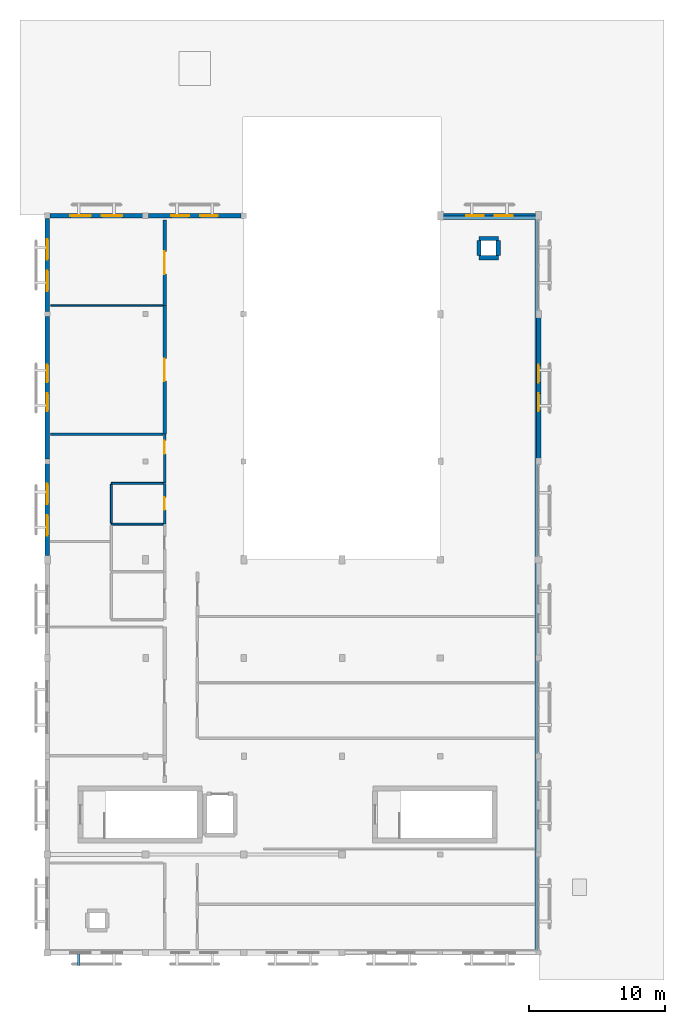
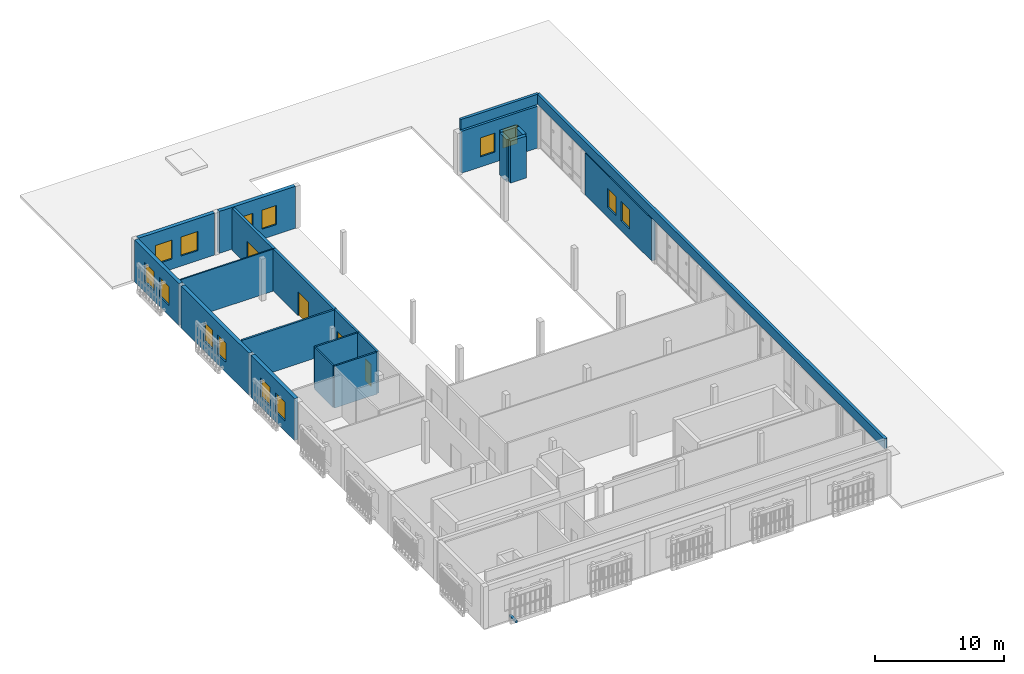
# One storey, part 9 of 11: 22 walls, 14 windows, 4 doors, 1 discrete accessory, 18 openings.
"""IFC4 building model written with IfcOpenShell, lengths in metres."""

from ifc_helpers import new_model, si_unit, direction, frame, frame_2d, origin, origin_2d, place, context, subcontext, project, spatial, rectangle, extrude, material, layer, layer_set, type_object, element, fill, save


model = new_model("IFC4")

# Units and contexts
model_context = context("Model", 3, precision=1e-05, world=origin(), true_north=direction((0.0, 1.0)))
body_context = subcontext(model_context, "Body", "Model", "MODEL_VIEW")
ifc_project = project(units=[si_unit("LENGTHUNIT", "METRE"), si_unit("AREAUNIT", "SQUARE_METRE"), si_unit("VOLUMEUNIT", "CUBIC_METRE"), si_unit("PLANEANGLEUNIT", "RADIAN"), si_unit("MASSUNIT", "GRAM", prefix="KILO")], contexts=[model_context])

# Site, building, storey
site_placement = place(None, origin())
site = spatial("IfcSite", under=ifc_project, at=site_placement, CompositionType="ELEMENT")
building_placement = place(site_placement, origin())
building = spatial("IfcBuilding", under=site, at=building_placement, Name="Mazaris Harbour Polytechnic", CompositionType="ELEMENT")
storey_placement = place(building_placement, frame((0.0, 0.0, 22.199951171875)))
storey = spatial("IfcBuildingStorey", under=building, at=storey_placement, Name="L05", CompositionType="ELEMENT", Elevation=22.199951171875)

# Wall
ifc_material_1 = material(Name="Gypsum Board and Mineral Wool")
ifc_layer_1 = layer(ifc_material_1, 0.1201171875, Name="Gypsum Board and Mineral Wool")
ifc_layer_set_1 = layer_set([ifc_layer_1], Name="Gypsum Board and Mineral Wool")
wall_type_1 = type_object("IfcWallType", Name="Acoustic Stud Partition 120", PredefinedType="PARTITIONING", material=ifc_layer_set_1)
wall_1_placement = place(storey_placement, frame((0.25, 54.617919921875, 0.0), z_axis=(0.0, 0.0, 1.0), x_axis=(1.0, 0.0, 0.0)))
element("IfcWall", 1, at=wall_1_placement, inside=storey, type_object=wall_type_1, Name="V4 L05 Partition 499", PredefinedType="PARTITIONING", context=body_context, shape_type="SweptSolid", body=[
    extrude(rectangle(XDim=8.219970703125, YDim=0.1201171875, at=frame_2d((4.10986328125, 0.0))), origin(), (0.0, 0.0, 1.0), 3.9599609375),
])

# Wall, opening, door
ifc_material_2 = material(Name="Concrete C35/45", Category="concrete")
ifc_layer_2 = layer(ifc_material_2, 0.239990234375, Name="Concrete C35/45")
ifc_layer_set_2 = layer_set([ifc_layer_2], Name="Concrete C35/45")
wall_type_2 = type_object("IfcWallType", Name="Archive Vault Fire Wall 240", PredefinedType="STANDARD", material=ifc_layer_set_2)
wall_2_placement = place(storey_placement, frame((8.60009765625, 45.198974609375, 0.0), z_axis=(0.0, 0.0, 1.0), x_axis=(0.0, 1.0, 0.0)))
wall_2 = element("IfcWall", 2, at=wall_2_placement, inside=storey, type_object=wall_type_2, Name="V4 L05 Partition 498", PredefinedType="STANDARD", context=body_context, shape_type="SweptSolid", body=[
    extrude(rectangle(XDim=9.4189453125, YDim=0.239990234375, at=frame_2d((4.70947265625, 0.0))), origin(), (0.0, 0.0, 1.0), 3.9599609375),
])
opening_1_placement = place(wall_2_placement, frame((3.884521484375, 0.0, 0.0)))
opening_1 = element("IfcOpeningElement", 3, at=opening_1_placement, cuts=wall_2, Name="Opening ID-06D", PredefinedType="OPENING", context=body_context, shape_type="SweptSolid", body=[
    extrude(rectangle(XDim=1.64990234375, YDim=2.25, at=frame_2d((0.824951171875, 1.125))), frame((0.0, 0.1298828125, 0.0), z_axis=(0.0, -1.0, 0.0), x_axis=(1.0, 0.0, 0.0)), (0.0, 0.0, 1.0), 0.260009765625),
])
ifc_material_3 = material(Name="Galvanised Steel S355", Category="steel")
door_type_1 = type_object("IfcDoorType", Name="Plant and Substation Double Door 1650x2250", OperationType="DOUBLE_DOOR_SINGLE_SWING", PredefinedType="DOOR", material=ifc_material_3)
door_1_placement = place(opening_1_placement, origin())
door_1 = element("IfcDoor", 4, at=door_1_placement, inside=storey, type_object=door_type_1, Name="ID-0235", OperationType="DOUBLE_DOOR_SINGLE_SWING", OverallHeight=2.25, OverallWidth=1.64990234375, PredefinedType="DOOR", context=body_context, shape_type="SweptSolid", body=[
    extrude(rectangle(XDim=1.64990234375, YDim=2.25, at=frame_2d((0.824951171875, 1.125))), frame((0.0, 0.02490234375, 0.0), z_axis=(0.0, -1.0, 0.0), x_axis=(1.0, 0.0, 0.0)), (0.0, 0.0, 1.0), 0.050048828125),
])
fill(opening_1, door_1)

wall_3_placement = place(storey_placement, frame((8.60009765625, 54.623046875, 0.0), z_axis=(0.0, 0.0, 1.0), x_axis=(0.0, 1.0, 0.0)))
wall_3 = element("IfcWall", 5, at=wall_3_placement, inside=storey, type_object=wall_type_2, Name="V4 L05 Partition 500", PredefinedType="STANDARD", context=body_context, shape_type="SweptSolid", body=[
    extrude(rectangle(XDim=6.27685546875, YDim=0.239990234375, at=frame_2d((3.138427734375, 0.0))), origin(), (0.0, 0.0, 1.0), 3.9599609375),
])
opening_2_placement = place(wall_3_placement, frame((2.3134765625, 0.0, 0.0)))
opening_2 = element("IfcOpeningElement", 6, at=opening_2_placement, cuts=wall_3, Name="Opening ID-06D", PredefinedType="OPENING", context=body_context, shape_type="SweptSolid", body=[
    extrude(rectangle(XDim=1.64990234375, YDim=2.25, at=frame_2d((0.824951171875, 1.125))), frame((0.0, 0.1298828125, 0.0), z_axis=(0.0, -1.0, 0.0), x_axis=(1.0, 0.0, 0.0)), (0.0, 0.0, 1.0), 0.260009765625),
])
door_2_placement = place(opening_2_placement, origin())
door_2 = element("IfcDoor", 7, at=door_2_placement, inside=storey, type_object=door_type_1, Name="ID-0236", OperationType="DOUBLE_DOOR_SINGLE_SWING", OverallHeight=2.25, OverallWidth=1.64990234375, PredefinedType="DOOR", context=body_context, shape_type="SweptSolid", body=[
    extrude(rectangle(XDim=1.64990234375, YDim=2.25, at=frame_2d((0.824951171875, 1.125))), frame((0.0, 0.02490234375, 0.0), z_axis=(0.0, -1.0, 0.0), x_axis=(1.0, 0.0, 0.0)), (0.0, 0.0, 1.0), 0.050048828125),
])
fill(opening_2, door_2)

ifc_material_4 = material(Name="Terracotta Block and Plaster", Category="masonry")
ifc_layer_3 = layer(ifc_material_4, 0.179931640625, Name="Terracotta Block and Plaster")
ifc_layer_set_3 = layer_set([ifc_layer_3], Name="Terracotta Block and Plaster")
wall_type_3 = type_object("IfcWallType", Name="Corridor Fire Partition 180", PredefinedType="PARTITIONING", material=ifc_layer_set_3)
wall_4_placement = place(storey_placement, frame((8.60009765625, 41.60498046875, 0.0), z_axis=(0.0, 0.0, 1.0), x_axis=(0.0, 1.0, 0.0)))
wall_4 = element("IfcWall", 8, at=wall_4_placement, inside=storey, type_object=wall_type_3, Name="V4 L05 Partition 495", PredefinedType="PARTITIONING", context=body_context, shape_type="SweptSolid", body=[
    extrude(rectangle(XDim=3.589111328125, YDim=0.179931640625, at=frame_2d((1.79443359375, 0.0))), origin(), (0.0, 0.0, 1.0), 3.9599609375),
])
opening_3_placement = place(wall_4_placement, frame((2.15576171875, 0.0, 0.0)))
opening_3 = element("IfcOpeningElement", 9, at=opening_3_placement, cuts=wall_4, Name="Opening ID-01R", PredefinedType="OPENING", context=body_context, shape_type="SweptSolid", body=[
    extrude(rectangle(XDim=0.9599609375, YDim=2.14990234375, at=frame_2d((0.47998046875, 1.074951171875))), frame((0.0, 0.099853515625, 0.0), z_axis=(0.0, -1.0, 0.0), x_axis=(1.0, 0.0, 0.0)), (0.0, 0.0, 1.0), 0.199951171875),
])
ifc_material_5 = material(Name="Solid Oak Timber", Category="wood")
door_type_2 = type_object("IfcDoorType", Name="Classroom Single Door RH 960x2150", OperationType="SINGLE_SWING_RIGHT", PredefinedType="DOOR", material=ifc_material_5)
door_3_placement = place(opening_3_placement, origin())
door_3 = element("IfcDoor", 10, at=door_3_placement, inside=storey, type_object=door_type_2, Name="ID-0234", OperationType="SINGLE_SWING_RIGHT", OverallHeight=2.14990234375, OverallWidth=0.9599609375, PredefinedType="DOOR", context=body_context, shape_type="SweptSolid", body=[
    extrude(rectangle(XDim=0.9599609375, YDim=2.14990234375, at=frame_2d((0.47998046875, 1.074951171875))), frame((0.0, 0.02490234375, 0.0), z_axis=(0.0, -1.0, 0.0), x_axis=(1.0, 0.0, 0.0)), (0.0, 0.0, 1.0), 0.050048828125),
])
fill(opening_3, door_3)

# Wall
ifc_material_6 = material(Name="Fireboard and Mineral Wool")
ifc_layer_4 = layer(ifc_material_6, 0.1650390625, Name="Fireboard and Mineral Wool")
ifc_layer_set_4 = layer_set([ifc_layer_4], Name="Fireboard and Mineral Wool")
wall_type_4 = type_object("IfcWallType", Name="Laboratory Rated Partition 165", PredefinedType="PARTITIONING", material=ifc_layer_set_4)
wall_5_placement = place(storey_placement, frame((0.25, 45.194091796875, 0.0), z_axis=(0.0, 0.0, 1.0), x_axis=(1.0, 0.0, 0.0)))
element("IfcWall", 11, at=wall_5_placement, inside=storey, type_object=wall_type_4, Name="V4 L05 Partition 497", PredefinedType="PARTITIONING", context=body_context, shape_type="SweptSolid", body=[
    extrude(rectangle(XDim=8.22998046875, YDim=0.1650390625, at=frame_2d((4.114990234375, 0.0))), origin(), (0.0, 0.0, 1.0), 3.9599609375),
])

# Wall, opening, door
ifc_material_7 = material(Name="Moisture-Resistant Blockwork", Category="masonry")
ifc_layer_5 = layer(ifc_material_7, 0.175048828125, Name="Moisture-Resistant Blockwork")
ifc_layer_set_5 = layer_set([ifc_layer_5], Name="Moisture-Resistant Blockwork")
wall_type_5 = type_object("IfcWallType", Name="Laboratory Wet Service Wall 175", PredefinedType="PLUMBINGWALL", material=ifc_layer_set_5)
wall_6_placement = place(storey_placement, frame((8.60009765625, 38.60498046875, 0.0), z_axis=(0.0, 0.0, 1.0), x_axis=(0.0, 1.0, 0.0)))
wall_6 = element("IfcWall", 12, at=wall_6_placement, inside=storey, type_object=wall_type_5, Name="V4 L05 Partition 486", PredefinedType="PLUMBINGWALL", context=body_context, shape_type="SweptSolid", body=[
    extrude(rectangle(XDim=2.9951171875, YDim=0.175048828125, at=frame_2d((1.49755859375, 0.0))), origin(), (0.0, 0.0, 1.0), 3.9599609375),
])
opening_4_placement = place(wall_6_placement, frame((1.03759765625, 0.0, 0.0)))
opening_4 = element("IfcOpeningElement", 13, at=opening_4_placement, cuts=wall_6, Name="Opening ID-07L", PredefinedType="OPENING", context=body_context, shape_type="SweptSolid", body=[
    extrude(rectangle(XDim=0.919921875, YDim=2.10009765625, at=frame_2d((0.4599609375, 1.050048828125))), frame((0.0, 0.097412109375, 0.0), z_axis=(0.0, -1.0, 0.0), x_axis=(1.0, 0.0, 0.0)), (0.0, 0.0, 1.0), 0.195068359375),
])
ifc_material_8 = material(Name="Moisture-Resistant Laminate Timber", Category="wood")
door_type_3 = type_object("IfcDoorType", Name="Accessible Toilet Door LH 920x2100", OperationType="SINGLE_SWING_LEFT", PredefinedType="DOOR", material=ifc_material_8)
door_4_placement = place(opening_4_placement, origin())
door_4 = element("IfcDoor", 14, at=door_4_placement, inside=storey, type_object=door_type_3, Name="ID-0230", OperationType="SINGLE_SWING_LEFT", OverallHeight=2.10009765625, OverallWidth=0.919921875, PredefinedType="DOOR", context=body_context, shape_type="SweptSolid", body=[
    extrude(rectangle(XDim=0.919921875, YDim=2.10009765625, at=frame_2d((0.4599609375, 1.050048828125))), frame((0.0, 0.02490234375, 0.0), z_axis=(0.0, -1.0, 0.0), x_axis=(1.0, 0.0, 0.0)), (0.0, 0.0, 1.0), 0.050048828125),
])
fill(opening_4, door_4)

# Wall, openings, windows
ifc_material_9 = material(Name="Algerian Buff Limestone and Mineral Wool", Category="masonry")
ifc_layer_6 = layer(ifc_material_9, 0.330078125, Name="Algerian Buff Limestone and Mineral Wool")
ifc_layer_set_6 = layer_set([ifc_layer_6], Name="Algerian Buff Limestone and Mineral Wool")
wall_type_6 = type_object("IfcWallType", Name="Limestone Cavity Wall 330", PredefinedType="STANDARD", material=ifc_layer_set_6)
wall_7_placement = place(storey_placement, frame((0.201904296875, 61.199951171875, 0.0), z_axis=(0.0, 0.0, 1.0), x_axis=(1.0, 0.0, 0.0)))
wall_7 = element("IfcWall", 15, at=wall_7_placement, inside=storey, type_object=wall_type_6, Name="V4 L05 Exterior Wall 276", PredefinedType="STANDARD", context=body_context, shape_type="SweptSolid", body=[
    extrude(rectangle(XDim=6.796142578125, YDim=0.330078125, at=frame_2d((3.39794921875, 0.0))), origin(), (0.0, 0.0, 1.0), 3.9599609375),
])
opening_5_placement = place(wall_7_placement, frame((1.498046875, 0.0, 0.949951171875)))
opening_5 = element("IfcOpeningElement", 16, at=opening_5_placement, cuts=wall_7, Name="Opening WN-14", PredefinedType="OPENING", context=body_context, shape_type="SweptSolid", body=[
    extrude(rectangle(XDim=1.5, YDim=1.800048828125, at=frame_2d((0.75, 0.89990234375))), frame((0.0, 0.175048828125, 0.0), z_axis=(0.0, -1.0, 0.0), x_axis=(1.0, 0.0, 0.0)), (0.0, 0.0, 1.0), 0.35009765625),
])
opening_6_placement = place(wall_7_placement, frame((3.798095703125, 0.0, 0.949951171875)))
opening_6 = element("IfcOpeningElement", 17, at=opening_6_placement, cuts=wall_7, Name="Opening WN-14", PredefinedType="OPENING", context=body_context, shape_type="SweptSolid", body=[
    extrude(rectangle(XDim=1.5, YDim=1.800048828125, at=frame_2d((0.75, 0.89990234375))), frame((0.0, 0.175048828125, 0.0), z_axis=(0.0, -1.0, 0.0), x_axis=(1.0, 0.0, 0.0)), (0.0, 0.0, 1.0), 0.35009765625),
])
ifc_material_10 = material(Name="Thermally Broken Bronze Aluminium and Low-E Glass", Category="aluminium")
window_type_1 = type_object("IfcWindowType", Name="Attic Deep-Reveal Window 1500x1800", PartitioningType="DOUBLE_PANEL_VERTICAL", PredefinedType="WINDOW", material=ifc_material_10)
window_1_placement = place(opening_5_placement, origin())
window_1 = element("IfcWindow", 18, at=window_1_placement, inside=storey, type_object=window_type_1, Name="WN-0322", OverallHeight=1.800048828125, OverallWidth=1.5, PartitioningType="DOUBLE_PANEL_VERTICAL", PredefinedType="WINDOW", context=body_context, shape_type="SweptSolid", body=[
    extrude(rectangle(XDim=1.5, YDim=1.800048828125, at=frame_2d((0.75, 0.89990234375))), frame((0.0, 0.030029296875, 0.0), z_axis=(0.0, -1.0, 0.0), x_axis=(1.0, 0.0, 0.0)), (0.0, 0.0, 1.0), 0.06005859375),
])
fill(opening_5, window_1)
window_2_placement = place(opening_6_placement, origin())
window_2 = element("IfcWindow", 19, at=window_2_placement, inside=storey, type_object=window_type_1, Name="WN-0323", OverallHeight=1.800048828125, OverallWidth=1.5, PartitioningType="DOUBLE_PANEL_VERTICAL", PredefinedType="WINDOW", context=body_context, shape_type="SweptSolid", body=[
    extrude(rectangle(XDim=1.5, YDim=1.800048828125, at=frame_2d((0.75, 0.89990234375))), frame((0.0, 0.030029296875, 0.0), z_axis=(0.0, -1.0, 0.0), x_axis=(1.0, 0.0, 0.0)), (0.0, 0.0, 1.0), 0.06005859375),
])
fill(opening_6, window_2)

wall_8_placement = place(storey_placement, frame((7.402099609375, 61.199951171875, 0.0), z_axis=(0.0, 0.0, 1.0), x_axis=(1.0, 0.0, 0.0)))
wall_8 = element("IfcWall", 20, at=wall_8_placement, inside=storey, type_object=wall_type_6, Name="V4 L05 Exterior Wall 277", PredefinedType="STANDARD", context=body_context, shape_type="SweptSolid", body=[
    extrude(rectangle(XDim=6.7958984375, YDim=0.330078125, at=frame_2d((3.39794921875, 0.0))), origin(), (0.0, 0.0, 1.0), 3.9599609375),
])
opening_7_placement = place(wall_8_placement, frame((1.697998046875, 0.0, 0.949951171875)))
opening_7 = element("IfcOpeningElement", 21, at=opening_7_placement, cuts=wall_8, Name="Opening WN-13", PredefinedType="OPENING", context=body_context, shape_type="SweptSolid", body=[
    extrude(rectangle(XDim=1.300048828125, YDim=1.800048828125, at=frame_2d((0.64990234375, 0.89990234375))), frame((0.0, 0.175048828125, 0.0), z_axis=(0.0, -1.0, 0.0), x_axis=(1.0, 0.0, 0.0)), (0.0, 0.0, 1.0), 0.35009765625),
])
opening_8_placement = place(wall_8_placement, frame((3.798095703125, 0.0, 0.949951171875)))
opening_8 = element("IfcOpeningElement", 22, at=opening_8_placement, cuts=wall_8, Name="Opening WN-13", PredefinedType="OPENING", context=body_context, shape_type="SweptSolid", body=[
    extrude(rectangle(XDim=1.300048828125, YDim=1.800048828125, at=frame_2d((0.64990234375, 0.89990234375))), frame((0.0, 0.175048828125, 0.0), z_axis=(0.0, -1.0, 0.0), x_axis=(1.0, 0.0, 0.0)), (0.0, 0.0, 1.0), 0.35009765625),
])
ifc_material_11 = material(Name="Thermally Broken Bronze Aluminium and Low-E Glass", Category="aluminium")
window_type_2 = type_object("IfcWindowType", Name="Attic Deep-Reveal Window 1300x1800", PartitioningType="DOUBLE_PANEL_VERTICAL", PredefinedType="WINDOW", material=ifc_material_11)
window_3_placement = place(opening_7_placement, origin())
window_3 = element("IfcWindow", 23, at=window_3_placement, inside=storey, type_object=window_type_2, Name="WN-0324", OverallHeight=1.800048828125, OverallWidth=1.300048828125, PartitioningType="DOUBLE_PANEL_VERTICAL", PredefinedType="WINDOW", context=body_context, shape_type="SweptSolid", body=[
    extrude(rectangle(XDim=1.300048828125, YDim=1.800048828125, at=frame_2d((0.64990234375, 0.89990234375))), frame((0.0, 0.030029296875, 0.0), z_axis=(0.0, -1.0, 0.0), x_axis=(1.0, 0.0, 0.0)), (0.0, 0.0, 1.0), 0.06005859375),
])
fill(opening_7, window_3)
window_4_placement = place(opening_8_placement, origin())
window_4 = element("IfcWindow", 24, at=window_4_placement, inside=storey, type_object=window_type_2, Name="WN-0325", OverallHeight=1.800048828125, OverallWidth=1.300048828125, PartitioningType="DOUBLE_PANEL_VERTICAL", PredefinedType="WINDOW", context=body_context, shape_type="SweptSolid", body=[
    extrude(rectangle(XDim=1.300048828125, YDim=1.800048828125, at=frame_2d((0.64990234375, 0.89990234375))), frame((0.0, 0.030029296875, 0.0), z_axis=(0.0, -1.0, 0.0), x_axis=(1.0, 0.0, 0.0)), (0.0, 0.0, 1.0), 0.06005859375),
])
fill(opening_8, window_4)

wall_9_placement = place(storey_placement, frame((29.011962890625, 61.199951171875, 0.0), z_axis=(0.0, 0.0, 1.0), x_axis=(1.0, 0.0, 0.0)))
wall_9 = element("IfcWall", 25, at=wall_9_placement, inside=storey, type_object=wall_type_6, Name="V4 L05 Exterior Wall 278", PredefinedType="STANDARD", context=body_context, shape_type="SweptSolid", body=[
    extrude(rectangle(XDim=6.776123046875, YDim=0.330078125, at=frame_2d((3.38818359375, 0.0))), origin(), (0.0, 0.0, 1.0), 3.9599609375),
])
opening_9_placement = place(wall_9_placement, frame((1.68798828125, 0.0, 0.949951171875)))
opening_9 = element("IfcOpeningElement", 26, at=opening_9_placement, cuts=wall_9, Name="Opening WN-13", PredefinedType="OPENING", context=body_context, shape_type="SweptSolid", body=[
    extrude(rectangle(XDim=1.300048828125, YDim=1.800048828125, at=frame_2d((0.64990234375, 0.89990234375))), frame((0.0, 0.175048828125, 0.0), z_axis=(0.0, -1.0, 0.0), x_axis=(1.0, 0.0, 0.0)), (0.0, 0.0, 1.0), 0.35009765625),
])
opening_10_placement = place(wall_9_placement, frame((3.7880859375, 0.0, 0.949951171875)))
opening_10 = element("IfcOpeningElement", 27, at=opening_10_placement, cuts=wall_9, Name="Opening WN-13", PredefinedType="OPENING", context=body_context, shape_type="SweptSolid", body=[
    extrude(rectangle(XDim=1.300048828125, YDim=1.800048828125, at=frame_2d((0.64990234375, 0.89990234375))), frame((0.0, 0.175048828125, 0.0), z_axis=(0.0, -1.0, 0.0), x_axis=(1.0, 0.0, 0.0)), (0.0, 0.0, 1.0), 0.35009765625),
])
window_5_placement = place(opening_9_placement, origin())
window_5 = element("IfcWindow", 28, at=window_5_placement, inside=storey, type_object=window_type_2, Name="WN-0326", OverallHeight=1.800048828125, OverallWidth=1.300048828125, PartitioningType="DOUBLE_PANEL_VERTICAL", PredefinedType="WINDOW", context=body_context, shape_type="SweptSolid", body=[
    extrude(rectangle(XDim=1.300048828125, YDim=1.800048828125, at=frame_2d((0.64990234375, 0.89990234375))), frame((0.0, 0.030029296875, 0.0), z_axis=(0.0, -1.0, 0.0), x_axis=(1.0, 0.0, 0.0)), (0.0, 0.0, 1.0), 0.06005859375),
])
fill(opening_9, window_5)
window_6_placement = place(opening_10_placement, origin())
window_6 = element("IfcWindow", 29, at=window_6_placement, inside=storey, type_object=window_type_2, Name="WN-0327", OverallHeight=1.800048828125, OverallWidth=1.300048828125, PartitioningType="DOUBLE_PANEL_VERTICAL", PredefinedType="WINDOW", context=body_context, shape_type="SweptSolid", body=[
    extrude(rectangle(XDim=1.300048828125, YDim=1.800048828125, at=frame_2d((0.64990234375, 0.89990234375))), frame((0.0, 0.030029296875, 0.0), z_axis=(0.0, -1.0, 0.0), x_axis=(1.0, 0.0, 0.0)), (0.0, 0.0, 1.0), 0.06005859375),
])
fill(opening_10, window_6)

wall_10_placement = place(storey_placement, frame((0.0, 36.2919921875, 0.0), z_axis=(0.0, 0.0, 1.0), x_axis=(0.0, 1.0, 0.0)))
wall_10 = element("IfcWall", 30, at=wall_10_placement, inside=storey, type_object=wall_type_6, Name="V4 L05 Exterior Wall 283", PredefinedType="STANDARD", context=body_context, shape_type="SweptSolid", body=[
    extrude(rectangle(XDim=6.74609375, YDim=0.330078125, at=frame_2d((3.373046875, 0.0))), origin(), (0.0, 0.0, 1.0), 3.9599609375),
])
opening_11_placement = place(wall_10_placement, frame((1.472900390625, 0.0, 0.949951171875)))
opening_11 = element("IfcOpeningElement", 31, at=opening_11_placement, cuts=wall_10, Name="Opening WN-14", PredefinedType="OPENING", context=body_context, shape_type="SweptSolid", body=[
    extrude(rectangle(XDim=1.5, YDim=1.800048828125, at=frame_2d((0.75, 0.89990234375))), frame((0.0, 0.175048828125, 0.0), z_axis=(0.0, -1.0, 0.0), x_axis=(1.0, 0.0, 0.0)), (0.0, 0.0, 1.0), 0.35009765625),
])
opening_12_placement = place(wall_10_placement, frame((3.77294921875, 0.0, 0.949951171875)))
opening_12 = element("IfcOpeningElement", 32, at=opening_12_placement, cuts=wall_10, Name="Opening WN-14", PredefinedType="OPENING", context=body_context, shape_type="SweptSolid", body=[
    extrude(rectangle(XDim=1.5, YDim=1.800048828125, at=frame_2d((0.75, 0.89990234375))), frame((0.0, 0.175048828125, 0.0), z_axis=(0.0, -1.0, 0.0), x_axis=(1.0, 0.0, 0.0)), (0.0, 0.0, 1.0), 0.35009765625),
])
window_7_placement = place(opening_11_placement, origin())
window_7 = element("IfcWindow", 33, at=window_7_placement, inside=storey, type_object=window_type_1, Name="WN-0336", OverallHeight=1.800048828125, OverallWidth=1.5, PartitioningType="DOUBLE_PANEL_VERTICAL", PredefinedType="WINDOW", context=body_context, shape_type="SweptSolid", body=[
    extrude(rectangle(XDim=1.5, YDim=1.800048828125, at=frame_2d((0.75, 0.89990234375))), frame((0.0, 0.030029296875, 0.0), z_axis=(0.0, -1.0, 0.0), x_axis=(1.0, 0.0, 0.0)), (0.0, 0.0, 1.0), 0.06005859375),
])
fill(opening_11, window_7)
window_8_placement = place(opening_12_placement, origin())
window_8 = element("IfcWindow", 34, at=window_8_placement, inside=storey, type_object=window_type_1, Name="WN-0337", OverallHeight=1.800048828125, OverallWidth=1.5, PartitioningType="DOUBLE_PANEL_VERTICAL", PredefinedType="WINDOW", context=body_context, shape_type="SweptSolid", body=[
    extrude(rectangle(XDim=1.5, YDim=1.800048828125, at=frame_2d((0.75, 0.89990234375))), frame((0.0, 0.030029296875, 0.0), z_axis=(0.0, -1.0, 0.0), x_axis=(1.0, 0.0, 0.0)), (0.0, 0.0, 1.0), 0.06005859375),
])
fill(opening_12, window_8)

wall_11_placement = place(storey_placement, frame((0.0, 43.362060546875, 0.0), z_axis=(0.0, 0.0, 1.0), x_axis=(0.0, 1.0, 0.0)))
wall_11 = element("IfcWall", 35, at=wall_11_placement, inside=storey, type_object=wall_type_6, Name="V4 L05 Exterior Wall 284", PredefinedType="STANDARD", context=body_context, shape_type="SweptSolid", body=[
    extrude(rectangle(XDim=10.4560546875, YDim=0.330078125, at=frame_2d((5.22802734375, 0.0))), origin(), (0.0, 0.0, 1.0), 3.9599609375),
])
opening_13_placement = place(wall_11_placement, frame((3.528076171875, 0.0, 0.949951171875)))
opening_13 = element("IfcOpeningElement", 36, at=opening_13_placement, cuts=wall_11, Name="Opening WN-13", PredefinedType="OPENING", context=body_context, shape_type="SweptSolid", body=[
    extrude(rectangle(XDim=1.300048828125, YDim=1.800048828125, at=frame_2d((0.64990234375, 0.89990234375))), frame((0.0, 0.175048828125, 0.0), z_axis=(0.0, -1.0, 0.0), x_axis=(1.0, 0.0, 0.0)), (0.0, 0.0, 1.0), 0.35009765625),
])
opening_14_placement = place(wall_11_placement, frame((5.6279296875, 0.0, 0.949951171875)))
opening_14 = element("IfcOpeningElement", 37, at=opening_14_placement, cuts=wall_11, Name="Opening WN-13", PredefinedType="OPENING", context=body_context, shape_type="SweptSolid", body=[
    extrude(rectangle(XDim=1.300048828125, YDim=1.800048828125, at=frame_2d((0.64990234375, 0.89990234375))), frame((0.0, 0.175048828125, 0.0), z_axis=(0.0, -1.0, 0.0), x_axis=(1.0, 0.0, 0.0)), (0.0, 0.0, 1.0), 0.35009765625),
])
window_9_placement = place(opening_13_placement, origin())
window_9 = element("IfcWindow", 38, at=window_9_placement, inside=storey, type_object=window_type_2, Name="WN-0338", OverallHeight=1.800048828125, OverallWidth=1.300048828125, PartitioningType="DOUBLE_PANEL_VERTICAL", PredefinedType="WINDOW", context=body_context, shape_type="SweptSolid", body=[
    extrude(rectangle(XDim=1.300048828125, YDim=1.800048828125, at=frame_2d((0.64990234375, 0.89990234375))), frame((0.0, 0.030029296875, 0.0), z_axis=(0.0, -1.0, 0.0), x_axis=(1.0, 0.0, 0.0)), (0.0, 0.0, 1.0), 0.06005859375),
])
fill(opening_13, window_9)
window_10_placement = place(opening_14_placement, origin())
window_10 = element("IfcWindow", 39, at=window_10_placement, inside=storey, type_object=window_type_2, Name="WN-0339", OverallHeight=1.800048828125, OverallWidth=1.300048828125, PartitioningType="DOUBLE_PANEL_VERTICAL", PredefinedType="WINDOW", context=body_context, shape_type="SweptSolid", body=[
    extrude(rectangle(XDim=1.300048828125, YDim=1.800048828125, at=frame_2d((0.64990234375, 0.89990234375))), frame((0.0, 0.030029296875, 0.0), z_axis=(0.0, -1.0, 0.0), x_axis=(1.0, 0.0, 0.0)), (0.0, 0.0, 1.0), 0.06005859375),
])
fill(opening_14, window_10)

wall_12_placement = place(storey_placement, frame((0.0, 54.181884765625, 0.0), z_axis=(0.0, 0.0, 1.0), x_axis=(0.0, 1.0, 0.0)))
wall_12 = element("IfcWall", 40, at=wall_12_placement, inside=storey, type_object=wall_type_6, Name="V4 L05 Exterior Wall 285", PredefinedType="STANDARD", context=body_context, shape_type="SweptSolid", body=[
    extrude(rectangle(XDim=6.816162109375, YDim=0.330078125, at=frame_2d((3.408203125, 0.0))), origin(), (0.0, 0.0, 1.0), 3.9599609375),
])
opening_15_placement = place(wall_12_placement, frame((1.508056640625, 0.0, 0.949951171875)))
opening_15 = element("IfcOpeningElement", 41, at=opening_15_placement, cuts=wall_12, Name="Opening WN-14", PredefinedType="OPENING", context=body_context, shape_type="SweptSolid", body=[
    extrude(rectangle(XDim=1.5, YDim=1.800048828125, at=frame_2d((0.75, 0.89990234375))), frame((0.0, 0.175048828125, 0.0), z_axis=(0.0, -1.0, 0.0), x_axis=(1.0, 0.0, 0.0)), (0.0, 0.0, 1.0), 0.35009765625),
])
opening_16_placement = place(wall_12_placement, frame((3.80810546875, 0.0, 0.949951171875)))
opening_16 = element("IfcOpeningElement", 42, at=opening_16_placement, cuts=wall_12, Name="Opening WN-14", PredefinedType="OPENING", context=body_context, shape_type="SweptSolid", body=[
    extrude(rectangle(XDim=1.5, YDim=1.800048828125, at=frame_2d((0.75, 0.89990234375))), frame((0.0, 0.175048828125, 0.0), z_axis=(0.0, -1.0, 0.0), x_axis=(1.0, 0.0, 0.0)), (0.0, 0.0, 1.0), 0.35009765625),
])
window_11_placement = place(opening_15_placement, origin())
window_11 = element("IfcWindow", 43, at=window_11_placement, inside=storey, type_object=window_type_1, Name="WN-0340", OverallHeight=1.800048828125, OverallWidth=1.5, PartitioningType="DOUBLE_PANEL_VERTICAL", PredefinedType="WINDOW", context=body_context, shape_type="SweptSolid", body=[
    extrude(rectangle(XDim=1.5, YDim=1.800048828125, at=frame_2d((0.75, 0.89990234375))), frame((0.0, 0.030029296875, 0.0), z_axis=(0.0, -1.0, 0.0), x_axis=(1.0, 0.0, 0.0)), (0.0, 0.0, 1.0), 0.06005859375),
])
fill(opening_15, window_11)
window_12_placement = place(opening_16_placement, origin())
window_12 = element("IfcWindow", 44, at=window_12_placement, inside=storey, type_object=window_type_1, Name="WN-0341", OverallHeight=1.800048828125, OverallWidth=1.5, PartitioningType="DOUBLE_PANEL_VERTICAL", PredefinedType="WINDOW", context=body_context, shape_type="SweptSolid", body=[
    extrude(rectangle(XDim=1.5, YDim=1.800048828125, at=frame_2d((0.75, 0.89990234375))), frame((0.0, 0.030029296875, 0.0), z_axis=(0.0, -1.0, 0.0), x_axis=(1.0, 0.0, 0.0)), (0.0, 0.0, 1.0), 0.06005859375),
])
fill(opening_16, window_12)

wall_13_placement = place(storey_placement, frame((36.0, 53.738037109375, 0.0), z_axis=(0.0, 0.0, 1.0), x_axis=(0.0, -1.0, 0.0)))
wall_13 = element("IfcWall", 45, at=wall_13_placement, inside=storey, type_object=wall_type_6, Name="V4 L05 Exterior Wall 288", PredefinedType="STANDARD", context=body_context, shape_type="SweptSolid", body=[
    extrude(rectangle(XDim=10.30615234375, YDim=0.330078125, at=frame_2d((5.153076171875, 0.0))), origin(), (0.0, 0.0, 1.0), 3.9599609375),
])
opening_17_placement = place(wall_13_placement, frame((3.452880859375, 0.0, 0.949951171875)))
opening_17 = element("IfcOpeningElement", 46, at=opening_17_placement, cuts=wall_13, Name="Opening WN-13", PredefinedType="OPENING", context=body_context, shape_type="SweptSolid", body=[
    extrude(rectangle(XDim=1.300048828125, YDim=1.800048828125, at=frame_2d((0.64990234375, 0.89990234375))), frame((0.0, 0.175048828125, 0.0), z_axis=(0.0, -1.0, 0.0), x_axis=(1.0, 0.0, 0.0)), (0.0, 0.0, 1.0), 0.35009765625),
])
opening_18_placement = place(wall_13_placement, frame((5.552978515625, 0.0, 0.949951171875)))
opening_18 = element("IfcOpeningElement", 47, at=opening_18_placement, cuts=wall_13, Name="Opening WN-13", PredefinedType="OPENING", context=body_context, shape_type="SweptSolid", body=[
    extrude(rectangle(XDim=1.300048828125, YDim=1.800048828125, at=frame_2d((0.64990234375, 0.89990234375))), frame((0.0, 0.175048828125, 0.0), z_axis=(0.0, -1.0, 0.0), x_axis=(1.0, 0.0, 0.0)), (0.0, 0.0, 1.0), 0.35009765625),
])
window_13_placement = place(opening_17_placement, origin())
window_13 = element("IfcWindow", 48, at=window_13_placement, inside=storey, type_object=window_type_2, Name="WN-0346", OverallHeight=1.800048828125, OverallWidth=1.300048828125, PartitioningType="DOUBLE_PANEL_VERTICAL", PredefinedType="WINDOW", context=body_context, shape_type="SweptSolid", body=[
    extrude(rectangle(XDim=1.300048828125, YDim=1.800048828125, at=frame_2d((0.64990234375, 0.89990234375))), frame((0.0, 0.030029296875, 0.0), z_axis=(0.0, -1.0, 0.0), x_axis=(1.0, 0.0, 0.0)), (0.0, 0.0, 1.0), 0.06005859375),
])
fill(opening_17, window_13)
window_14_placement = place(opening_18_placement, origin())
window_14 = element("IfcWindow", 49, at=window_14_placement, inside=storey, type_object=window_type_2, Name="WN-0347", OverallHeight=1.800048828125, OverallWidth=1.300048828125, PartitioningType="DOUBLE_PANEL_VERTICAL", PredefinedType="WINDOW", context=body_context, shape_type="SweptSolid", body=[
    extrude(rectangle(XDim=1.300048828125, YDim=1.800048828125, at=frame_2d((0.64990234375, 0.89990234375))), frame((0.0, 0.030029296875, 0.0), z_axis=(0.0, -1.0, 0.0), x_axis=(1.0, 0.0, 0.0)), (0.0, 0.0, 1.0), 0.06005859375),
])
fill(opening_18, window_14)

# Walls
ifc_material_12 = material(Name="Algerian Buff Limestone", Category="masonry")
ifc_layer_7 = layer(ifc_material_12, 0.2451171875, Name="Algerian Buff Limestone")
ifc_layer_set_7 = layer_set([ifc_layer_7], Name="Algerian Buff Limestone")
wall_type_7 = type_object("IfcWallType", Name="Limestone Cornice Parapet 245", PredefinedType="PARAPET", material=ifc_layer_set_7)
wall_14_placement = place(storey_placement, frame((35.8701171875, 7.330078125, 4.199951171875), z_axis=(0.0, 0.0, 1.0), x_axis=(0.0, 1.0, 0.0)))
element("IfcWall", 50, at=wall_14_placement, inside=storey, type_object=wall_type_7, Name="L05 Roof Cornice Parapet 2", PredefinedType="PARAPET", context=body_context, shape_type="SweptSolid", body=[
    extrude(rectangle(XDim=53.739990234375, YDim=0.2451171875, at=frame_2d((26.8701171875, 0.0))), origin(), (0.0, 0.0, 1.0), 0.9501953125),
])
wall_15_placement = place(storey_placement, frame((35.8701171875, 61.070068359375, 4.199951171875), z_axis=(0.0, 0.0, 1.0), x_axis=(-1.0, 0.0, 0.0)))
element("IfcWall", 51, at=wall_15_placement, inside=storey, type_object=wall_type_7, Name="L05 Roof Cornice Parapet 3", PredefinedType="PARAPET", context=body_context, shape_type="SweptSolid", body=[
    extrude(rectangle(XDim=6.940185546875, YDim=0.2451171875, at=frame_2d((3.47021484375, 0.0))), origin(), (0.0, 0.0, 1.0), 0.9501953125),
])
ifc_material_13 = material(Name="Concrete C40/50", Category="concrete")
ifc_layer_8 = layer(ifc_material_13, 0.300048828125, Name="Concrete C40/50")
ifc_layer_set_8 = layer_set([ifc_layer_8], Name="Concrete C40/50")
wall_type_8 = type_object("IfcWallType", Name="RC Lift Shaft Wall 300", PredefinedType="SHEAR", material=ifc_layer_set_8)
wall_16_placement = place(storey_placement, frame((31.6298828125, 58.1298828125, 0.0), z_axis=(0.0, 0.0, 1.0), x_axis=(1.0, 0.0, 0.0)))
element("IfcWall", 52, at=wall_16_placement, inside=storey, type_object=wall_type_8, Name="V4 L05 Riser Enclosure Wall 2-1", PredefinedType="SHEAR", context=body_context, shape_type="SweptSolid", body=[
    extrude(rectangle(XDim=1.420166015625, YDim=0.300048828125, at=frame_2d((0.7099609375, 0.0))), origin(), (0.0, 0.0, 1.0), 3.9599609375),
])
wall_17_placement = place(storey_placement, frame((33.050048828125, 58.2900390625, 0.0), z_axis=(0.0, 0.0, 1.0), x_axis=(0.0, 1.0, 0.0)))
element("IfcWall", 53, at=wall_17_placement, inside=storey, type_object=wall_type_8, Name="V4 L05 Riser Enclosure Wall 2-2", PredefinedType="SHEAR", context=body_context, shape_type="SweptSolid", body=[
    extrude(rectangle(XDim=1.099853515625, YDim=0.300048828125, at=frame_2d((0.5498046875, 0.0))), origin(), (0.0, 0.0, 1.0), 3.9599609375),
])
wall_18_placement = place(storey_placement, frame((33.050048828125, 59.550048828125, 0.0), z_axis=(0.0, 0.0, 1.0), x_axis=(-1.0, 0.0, 0.0)))
element("IfcWall", 54, at=wall_18_placement, inside=storey, type_object=wall_type_8, Name="V4 L05 Riser Enclosure Wall 2-3", PredefinedType="SHEAR", context=body_context, shape_type="SweptSolid", body=[
    extrude(rectangle(XDim=1.420166015625, YDim=0.300048828125, at=frame_2d((0.7099609375, 0.0))), origin(), (0.0, 0.0, 1.0), 3.9599609375),
])
wall_19_placement = place(storey_placement, frame((31.6298828125, 59.389892578125, 0.0), z_axis=(0.0, 0.0, 1.0), x_axis=(0.0, -1.0, 0.0)))
element("IfcWall", 55, at=wall_19_placement, inside=storey, type_object=wall_type_8, Name="V4 L05 Riser Enclosure Wall 2-4", PredefinedType="SHEAR", context=body_context, shape_type="SweptSolid", body=[
    extrude(rectangle(XDim=1.099853515625, YDim=0.300048828125, at=frame_2d((0.5498046875, 0.0))), origin(), (0.0, 0.0, 1.0), 3.9599609375),
])
ifc_material_14 = material(Name="Moisture-Resistant Gypsum and Steel Stud", Category="steel")
ifc_layer_9 = layer(ifc_material_14, 0.14501953125, Name="Moisture-Resistant Gypsum and Steel Stud")
ifc_layer_set_9 = layer_set([ifc_layer_9], Name="Moisture-Resistant Gypsum and Steel Stud")
wall_type_9 = type_object("IfcWallType", Name="Sanitary Plumbing Wall 145", PredefinedType="PLUMBINGWALL", material=ifc_layer_set_9)
for number, where, z_axis, x_axis, name in (
    (56, (4.699951171875, 38.60009765625, 0.0), (0.0, 0.0, 1.0), (1.0, 0.0, 0.0), "V4 L05 Partition 484"),
    (57, (4.699951171875, 41.60009765625, 0.0), (0.0, 0.0, 1.0), (1.0, 0.0, 0.0), "V4 L05 Partition 487"),
):
    element("IfcWall", number, at=place(storey_placement, frame(where, z_axis=z_axis, x_axis=x_axis)), inside=storey, type_object=wall_type_9, Name=name, PredefinedType="PLUMBINGWALL", context=body_context, shape_type="SweptSolid", body=[
        extrude(rectangle(XDim=3.780029296875, YDim=0.14501953125, at=frame_2d((1.89013671875, 0.0))), origin(), (0.0, 0.0, 1.0), 3.9599609375),
    ])
wall_20_placement = place(storey_placement, frame((4.699951171875, 38.6826171875, 0.0), z_axis=(0.0, 0.0, 1.0), x_axis=(0.0, 1.0, 0.0)))
element("IfcWall", 58, at=wall_20_placement, inside=storey, type_object=wall_type_9, Name="V4 L05 Partition 488", PredefinedType="PLUMBINGWALL", context=body_context, shape_type="SweptSolid", body=[
    extrude(rectangle(XDim=2.8349609375, YDim=0.14501953125, at=frame_2d((1.41748046875, 0.0))), origin(), (0.0, 0.0, 1.0), 3.9599609375),
])

# Discrete accessory
ifc_material_15 = material(Name="Stainless Steel S355", Category="steel")
discrete_accessory_type = type_object("IfcDiscreteAccessoryType", Name="Stainless Screen Outrigger Bracket 200x1020x200", PredefinedType="BRACKET", material=ifc_material_15)
discrete_accessory_placement = place(storey_placement, frame((2.303955078125, 6.760009765625, 0.16015625), z_axis=(0.0, 0.0, 1.0), x_axis=(-1.0, 0.0, 0.0)))
element("IfcDiscreteAccessory", 59, at=discrete_accessory_placement, inside=storey, type_object=discrete_accessory_type, Name="Screen Outrigger Bracket 1343", PredefinedType="BRACKET", context=body_context, shape_type="SweptSolid", body=[
    extrude(rectangle(XDim=0.199951171875, YDim=1.02001953125, at=origin_2d()), origin(), (0.0, 0.0, 1.0), 0.199951171875),
])

save(model, "model.ifc")
